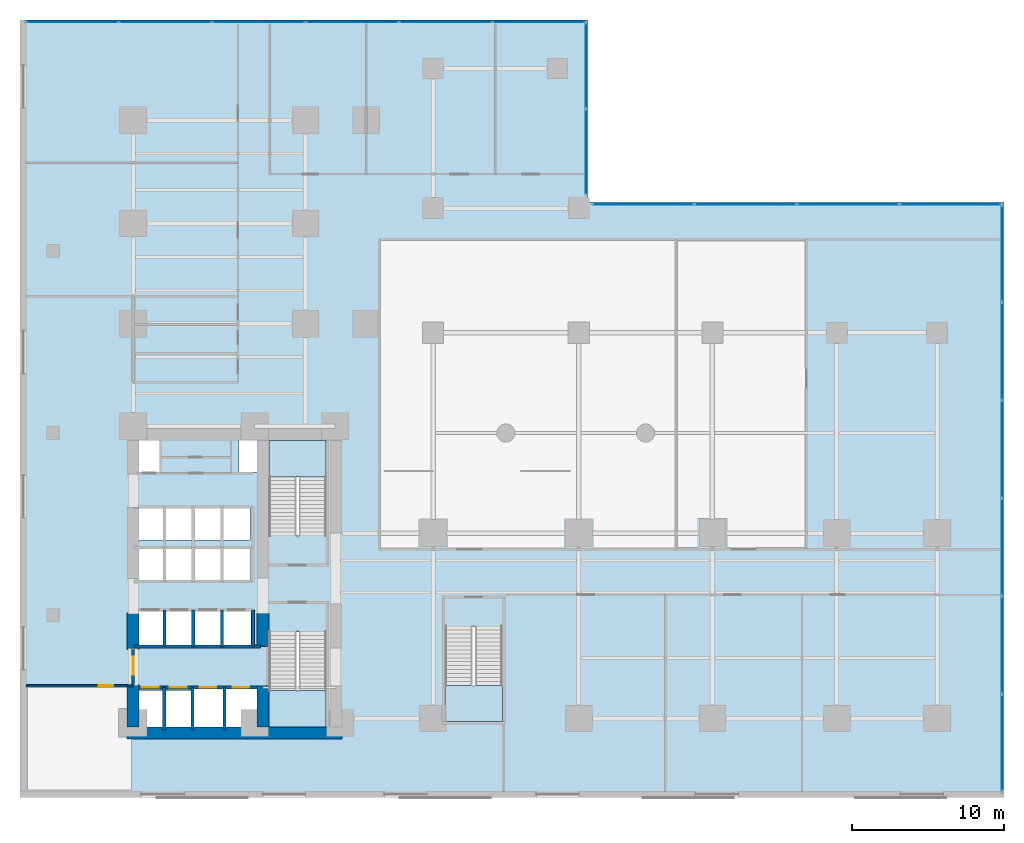
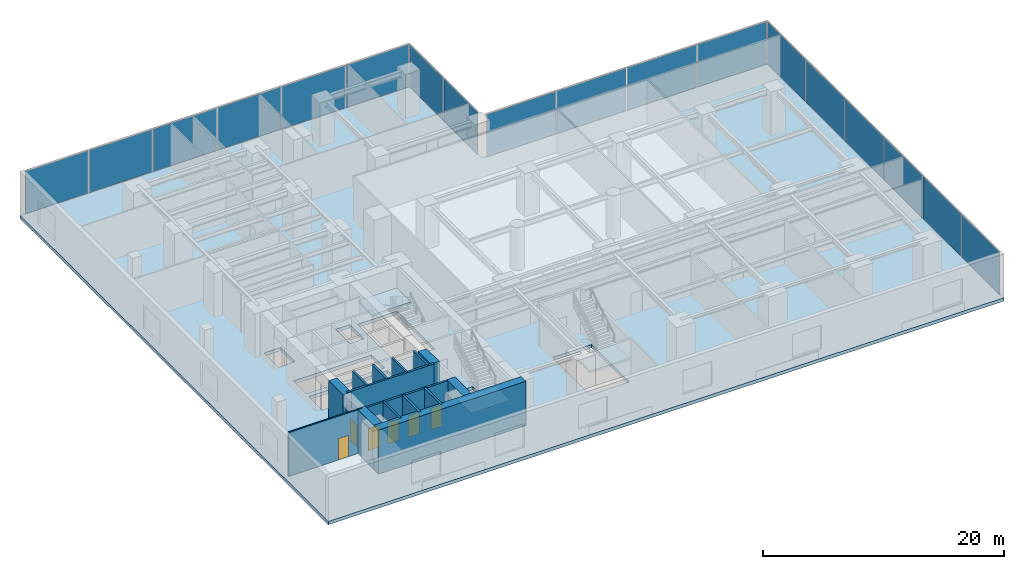
# One storey, part 11 of 16: 18 plates, 16 walls, 6 doors, 4 slabs, 6 openings, 7 elements without a shape of their own.
"""IFC4 building model written with IfcOpenShell, lengths in metres."""

from ifc_helpers import new_model, si_unit, direction, frame, frame_2d, origin, origin_with_axes, origin_2d, place, context, subcontext, project, spatial, polyline, rectangle, outline, extrude, source, transform, mapped, material, layer, layer_set, type_object, element, fill, aggregate, save


model = new_model("IFC4")

# Units and contexts
model_context = context("Model", 3, precision=1e-05, world=origin(), true_north=direction((0.0, 1.0)))
body_context = subcontext(model_context, "Body", "Model", "MODEL_VIEW")
ifc_project = project(units=[si_unit("LENGTHUNIT", "METRE"), si_unit("AREAUNIT", "SQUARE_METRE"), si_unit("VOLUMEUNIT", "CUBIC_METRE"), si_unit("PLANEANGLEUNIT", "RADIAN"), si_unit("MASSUNIT", "GRAM", prefix="KILO")], contexts=[model_context])

# Site, building, storey
site_placement = place(None, origin())
site = spatial("IfcSite", under=ifc_project, at=site_placement, CompositionType="ELEMENT")
building_placement = place(site_placement, origin())
building = spatial("IfcBuilding", under=site, at=building_placement, Name="Kolvaren Waterfront Exchange", CompositionType="ELEMENT")
storey_placement = place(building_placement, frame((0.0, 0.0, 20.0)))
storey = spatial("IfcBuildingStorey", under=building, at=storey_placement, Name="L05", CompositionType="ELEMENT", Elevation=20.0)

# Stair, slab
ifc_material_1 = material(Name="Concrete C40/50", Category="concrete")
stair_type = type_object("IfcStairType", Name="ARC-STAIR-4800", PredefinedType="HALF_TURN_STAIR", material=ifc_material_1)
stair_1_placement = place(storey_placement, origin())
stair_1 = element("IfcStair", 1, at=stair_1_placement, inside=storey, type_object=stair_type, Name="L05 Smoke-proof exit stair ST1", PredefinedType="HALF_TURN_STAIR")
ifc_layer_1 = layer(ifc_material_1, 0.199951171875, Name="Concrete C40/50")
ifc_layer_set_1 = layer_set([ifc_layer_1], Name="Concrete C40/50")
slab_type_1 = type_object("IfcSlabType", Name="STR-LANDING-200", PredefinedType="LANDING", material=ifc_layer_set_1)
slab_1_placement = place(storey_placement, frame((0.0, 0.0, 2.199951171875)))
slab_1 = element("IfcSlab", 2, at=slab_1_placement, type_object=slab_type_1, Name="ST1 landing 1", PredefinedType="LANDING", context=body_context, shape_type="SweptSolid", body=[
    extrude(outline(polyline([(16.39990234375, 7.030029296875), (16.39990234375, 4.64990234375), (20.159912109375, 4.64990234375), (20.159912109375, 7.030029296875), (16.39990234375, 7.030029296875)])), origin(), (0.0, 0.0, 1.0), 0.199951171875),
])
aggregate(stair_1, [slab_1])

stair_2_placement = place(storey_placement, origin())
stair_2 = element("IfcStair", 3, at=stair_2_placement, inside=storey, type_object=stair_type, Name="L05 Smoke-proof exit stair ST2", PredefinedType="HALF_TURN_STAIR")
slab_2_placement = place(storey_placement, frame((0.0, 0.0, 2.199951171875)))
slab_2 = element("IfcSlab", 4, at=slab_2_placement, type_object=slab_type_1, Name="ST2 landing 1", PredefinedType="LANDING", context=body_context, shape_type="SweptSolid", body=[
    extrude(outline(polyline([(20.159912109375, 21.1201171875), (20.159912109375, 23.5), (16.39990234375, 23.5), (16.39990234375, 21.1201171875), (20.159912109375, 21.1201171875)])), origin(), (0.0, 0.0, 1.0), 0.199951171875),
])
aggregate(stair_2, [slab_2])

stair_3_placement = place(storey_placement, origin())
stair_3 = element("IfcStair", 5, at=stair_3_placement, inside=storey, type_object=stair_type, Name="L05 Exit stair ST3", PredefinedType="HALF_TURN_STAIR")
slab_3_placement = place(storey_placement, frame((0.0, 0.0, 2.199951171875)))
slab_3 = element("IfcSlab", 6, at=slab_3_placement, type_object=slab_type_1, Name="ST3 landing 1", PredefinedType="LANDING", context=body_context, shape_type="SweptSolid", body=[
    extrude(outline(polyline([(28.0, 7.3798828125), (28.0, 5.0), (31.760009765625, 5.0), (31.760009765625, 7.3798828125), (28.0, 7.3798828125)])), origin(), (0.0, 0.0, 1.0), 0.199951171875),
])
aggregate(stair_3, [slab_3])

# Slab
ifc_layer_2 = layer(ifc_material_1, 0.340087890625, Name="Concrete C40/50")
ifc_layer_set_2 = layer_set([ifc_layer_2], Name="Concrete C40/50")
slab_type_2 = type_object("IfcSlabType", Name="STR-SLAB-340", PredefinedType="FLOOR", material=ifc_layer_set_2)
slab_4_placement = place(storey_placement, frame((0.0, 0.0, -0.340087890625)))
element("IfcSlab", 7, at=slab_4_placement, inside=storey, type_object=slab_type_2, Name="L05 structural floor slab", PredefinedType="FLOOR", context=body_context, shape_type="SweptSolid", body=[
    extrude(outline(polyline([(0.0, 0.0), (64.800048828125, 0.0), (64.800048828125, 39.199951171875), (37.39990234375, 39.199951171875), (37.39990234375, 51.199951171875), (0.0, 51.199951171875), (0.0, 0.0)]), holes=[polyline([(11.320068359375, 7.260009765625), (15.610107421875, 7.260009765625), (15.610107421875, 4.5400390625), (7.719970703125, 4.5400390625), (7.719970703125, 7.06005859375), (11.320068359375, 7.06005859375), (11.320068359375, 7.260009765625)]), polyline([(20.159912109375, 4.64990234375), (16.39990234375, 4.64990234375), (16.39990234375, 10.89990234375), (20.159912109375, 10.89990234375), (20.159912109375, 4.64990234375)]), polyline([(31.760009765625, 5.0), (28.0, 5.0), (28.0, 11.25), (31.760009765625, 11.25), (31.760009765625, 5.0)]), polyline([(15.2099609375, 10.0400390625), (7.6201171875, 10.0400390625), (7.6201171875, 12.360107421875), (15.2099609375, 12.360107421875), (15.2099609375, 10.0400390625)]), polyline([(7.64501953125, 16.4599609375), (15.18505859375, 16.4599609375), (15.18505859375, 14.239990234375), (7.64501953125, 14.239990234375), (7.64501953125, 16.4599609375)]), polyline([(15.159912109375, 16.93994140625), (7.669921875, 16.93994140625), (7.669921875, 19.06005859375), (15.159912109375, 19.06005859375), (15.159912109375, 16.93994140625)]), polyline([(16.39990234375, 23.5), (20.159912109375, 23.5), (20.159912109375, 17.25), (16.39990234375, 17.25), (16.39990234375, 23.5)]), polyline([(7.60009765625, 23.780029296875), (9.179931640625, 23.780029296875), (9.179931640625, 21.419921875), (7.60009765625, 21.419921875), (7.60009765625, 23.780029296875)]), polyline([(15.800048828125, 23.780029296875), (15.800048828125, 21.419921875), (14.419921875, 21.419921875), (14.419921875, 23.780029296875), (15.800048828125, 23.780029296875)])]), origin(), (0.0, 0.0, 1.0), 0.340087890625),
])

# Curtain wall, plates
ifc_material_2 = material(Name="Anodised bronze aluminium 6063-T6", Category="aluminium")
ifc_layer_3 = layer(ifc_material_2, 0.219970703125, Name="Anodised bronze aluminium 6063-T6")
ifc_layer_set_3 = layer_set([ifc_layer_3], Name="Anodised bronze aluminium 6063-T6")
curtain_wall_type_1 = type_object("IfcCurtainWallType", Name="ARC-CW-SYS4", PredefinedType="USERDEFINED", material=ifc_layer_set_3)
curtain_wall_1_placement = place(storey_placement, origin())
curtain_wall_1 = element("IfcCurtainWall", 8, at=curtain_wall_1_placement, inside=storey, type_object=curtain_wall_type_1, Name="L05 stick curtain wall CW4 (CW-L05-E1)", ObjectType="STICK CURTAIN WALL", PredefinedType="USERDEFINED")
ifc_material_3 = material(Name="High-span laminated vision glass", Category="glass")
ifc_layer_4 = layer(ifc_material_3, 0.035888671875, Name="High-span laminated vision glass")
ifc_layer_set_4 = layer_set([ifc_layer_4], Name="High-span laminated vision glass")
plate_type_1 = type_object("IfcPlateType", Name="ARC-CWP-36", PredefinedType="CURTAIN_PANEL", material=ifc_layer_set_4)
shared_shape_1 = source(origin_with_axes(), body_context, "Body", "SweptSolid", [
    extrude(rectangle(XDim=6.331787109375, YDim=0.035888671875, at=origin_2d()), origin(), (0.0, 0.0, 1.0), 4.31005859375),
])
plate_1_placement = place(storey_placement, frame((64.659912109375, 3.595947265625, 0.074951171875), z_axis=(0.0, 0.0, 1.0), x_axis=(0.0, 1.0, 0.0)))
plate_1 = element("IfcPlate", 9, at=plate_1_placement, type_object=plate_type_1, Name="CW4 panel 1.1", PredefinedType="CURTAIN_PANEL", context=body_context, shape_type="MappedRepresentation", body=[
    mapped(shared_shape_1, transform((0.0, 0.0, 0.0), x_axis=(1.0, 0.0, 0.0), y_axis=(0.0, 1.0, 0.0), z_axis=(0.0, 0.0, 1.0), scale=1.0)),
])
plate_2_placement = place(storey_placement, frame((64.659912109375, 35.814208984375, 0.074951171875), z_axis=(0.0, 0.0, 1.0), x_axis=(0.0, 1.0, 0.0)))
plate_2 = element("IfcPlate", 10, at=plate_2_placement, type_object=plate_type_1, Name="CW4 panel 6.1", PredefinedType="CURTAIN_PANEL", context=body_context, shape_type="MappedRepresentation", body=[
    mapped(shared_shape_1, transform((0.0, 0.0, 0.0), x_axis=(1.0, 0.0, 0.0), y_axis=(0.0, 1.0, 0.0), z_axis=(0.0, 0.0, 1.0), scale=1.0)),
])
shared_shape_2 = source(origin_with_axes(), body_context, "Body", "SweptSolid", [
    extrude(rectangle(XDim=6.37158203125, YDim=0.035888671875, at=origin_2d()), origin(), (0.0, 0.0, 1.0), 4.31005859375),
])
plate_3_placement = place(storey_placement, frame((64.659912109375, 10.027587890625, 0.074951171875), z_axis=(0.0, 0.0, 1.0), x_axis=(0.0, 1.0, 0.0)))
plate_3 = element("IfcPlate", 11, at=plate_3_placement, type_object=plate_type_1, Name="CW4 panel 2.1", PredefinedType="CURTAIN_PANEL", context=body_context, shape_type="MappedRepresentation", body=[
    mapped(shared_shape_2, transform((0.0, 0.0, 0.0), x_axis=(1.0, 0.0, 0.0), y_axis=(0.0, 1.0, 0.0), z_axis=(0.0, 0.0, 1.0), scale=1.0)),
])
plate_4_placement = place(storey_placement, frame((64.659912109375, 16.479248046875, 0.074951171875), z_axis=(0.0, 0.0, 1.0), x_axis=(0.0, 1.0, 0.0)))
plate_4 = element("IfcPlate", 12, at=plate_4_placement, type_object=plate_type_1, Name="CW4 panel 3.1", PredefinedType="CURTAIN_PANEL", context=body_context, shape_type="MappedRepresentation", body=[
    mapped(shared_shape_2, transform((0.0, 0.0, 0.0), x_axis=(1.0, 0.0, 0.0), y_axis=(0.0, 1.0, 0.0), z_axis=(0.0, 0.0, 1.0), scale=1.0)),
])
plate_5_placement = place(storey_placement, frame((64.659912109375, 22.930908203125, 0.074951171875), z_axis=(0.0, 0.0, 1.0), x_axis=(0.0, 1.0, 0.0)))
plate_5 = element("IfcPlate", 13, at=plate_5_placement, type_object=plate_type_1, Name="CW4 panel 4.1", PredefinedType="CURTAIN_PANEL", context=body_context, shape_type="MappedRepresentation", body=[
    mapped(shared_shape_2, transform((0.0, 0.0, 0.0), x_axis=(1.0, 0.0, 0.0), y_axis=(0.0, 1.0, 0.0), z_axis=(0.0, 0.0, 1.0), scale=1.0)),
])
plate_6_placement = place(storey_placement, frame((64.659912109375, 29.382568359375, 0.074951171875), z_axis=(0.0, 0.0, 1.0), x_axis=(0.0, 1.0, 0.0)))
plate_6 = element("IfcPlate", 14, at=plate_6_placement, type_object=plate_type_1, Name="CW4 panel 5.1", PredefinedType="CURTAIN_PANEL", context=body_context, shape_type="MappedRepresentation", body=[
    mapped(shared_shape_2, transform((0.0, 0.0, 0.0), x_axis=(1.0, 0.0, 0.0), y_axis=(0.0, 1.0, 0.0), z_axis=(0.0, 0.0, 1.0), scale=1.0)),
])
aggregate(curtain_wall_1, [plate_1, plate_3, plate_4, plate_5, plate_6, plate_2])

curtain_wall_2_placement = place(storey_placement, origin())
curtain_wall_2 = element("IfcCurtainWall", 15, at=curtain_wall_2_placement, inside=storey, type_object=curtain_wall_type_1, Name="L05 stick curtain wall CW4 (CW-L05-E2)", ObjectType="STICK CURTAIN WALL", PredefinedType="USERDEFINED")
shared_shape_3 = source(origin_with_axes(), body_context, "Body", "SweptSolid", [
    extrude(rectangle(XDim=6.632568359375, YDim=0.035888671875, at=origin_2d()), origin(), (0.0, 0.0, 1.0), 4.31005859375),
])
plate_7_placement = place(storey_placement, frame((61.263671875, 39.06005859375, 0.074951171875), z_axis=(0.0, 0.0, 1.0), x_axis=(-1.0, 0.0, 0.0)))
plate_7 = element("IfcPlate", 16, at=plate_7_placement, type_object=plate_type_1, Name="CW4 panel 1.1", PredefinedType="CURTAIN_PANEL", context=body_context, shape_type="MappedRepresentation", body=[
    mapped(shared_shape_3, transform((0.0, 0.0, 0.0), x_axis=(1.0, 0.0, 0.0), y_axis=(0.0, 1.0, 0.0), z_axis=(0.0, 0.0, 1.0), scale=1.0)),
])
plate_8_placement = place(storey_placement, frame((41.046142578125, 39.06005859375, 0.074951171875), z_axis=(0.0, 0.0, 1.0), x_axis=(-1.0, 0.0, 0.0)))
plate_8 = element("IfcPlate", 17, at=plate_8_placement, type_object=plate_type_1, Name="CW4 panel 4.1", PredefinedType="CURTAIN_PANEL", context=body_context, shape_type="MappedRepresentation", body=[
    mapped(shared_shape_3, transform((0.0, 0.0, 0.0), x_axis=(1.0, 0.0, 0.0), y_axis=(0.0, 1.0, 0.0), z_axis=(0.0, 0.0, 1.0), scale=1.0)),
])
shared_shape_4 = source(origin_with_axes(), body_context, "Body", "SweptSolid", [
    extrude(rectangle(XDim=6.672607421875, YDim=0.035888671875, at=origin_2d()), origin(), (0.0, 0.0, 1.0), 4.31005859375),
])
plate_9_placement = place(storey_placement, frame((54.53125, 39.06005859375, 0.074951171875), z_axis=(0.0, 0.0, 1.0), x_axis=(-1.0, 0.0, 0.0)))
plate_9 = element("IfcPlate", 18, at=plate_9_placement, type_object=plate_type_1, Name="CW4 panel 2.1", PredefinedType="CURTAIN_PANEL", context=body_context, shape_type="MappedRepresentation", body=[
    mapped(shared_shape_4, transform((0.0, 0.0, 0.0), x_axis=(1.0, 0.0, 0.0), y_axis=(0.0, 1.0, 0.0), z_axis=(0.0, 0.0, 1.0), scale=1.0)),
])
plate_10_placement = place(storey_placement, frame((47.77880859375, 39.06005859375, 0.074951171875), z_axis=(0.0, 0.0, 1.0), x_axis=(-1.0, 0.0, 0.0)))
plate_10 = element("IfcPlate", 19, at=plate_10_placement, type_object=plate_type_1, Name="CW4 panel 3.1", PredefinedType="CURTAIN_PANEL", context=body_context, shape_type="MappedRepresentation", body=[
    mapped(shared_shape_4, transform((0.0, 0.0, 0.0), x_axis=(1.0, 0.0, 0.0), y_axis=(0.0, 1.0, 0.0), z_axis=(0.0, 0.0, 1.0), scale=1.0)),
])
aggregate(curtain_wall_2, [plate_7, plate_9, plate_10, plate_8])

curtain_wall_3_placement = place(storey_placement, origin())
curtain_wall_3 = element("IfcCurtainWall", 20, at=curtain_wall_3_placement, inside=storey, type_object=curtain_wall_type_1, Name="L05 stick curtain wall CW4 (CW-L05-N1)", ObjectType="STICK CURTAIN WALL", PredefinedType="USERDEFINED")
shared_shape_5 = source(origin_with_axes(), body_context, "Body", "SweptSolid", [
    extrude(rectangle(XDim=5.5849609375, YDim=0.035888671875, at=origin_2d()), origin(), (0.0, 0.0, 1.0), 4.31005859375),
])
plate_11_placement = place(storey_placement, frame((37.260009765625, 42.5224609375, 0.074951171875), z_axis=(0.0, 0.0, 1.0), x_axis=(0.0, 1.0, 0.0)))
plate_11 = element("IfcPlate", 21, at=plate_11_placement, type_object=plate_type_1, Name="CW4 panel 1.1", PredefinedType="CURTAIN_PANEL", context=body_context, shape_type="MappedRepresentation", body=[
    mapped(shared_shape_5, transform((0.0, 0.0, 0.0), x_axis=(1.0, 0.0, 0.0), y_axis=(0.0, 1.0, 0.0), z_axis=(0.0, 0.0, 1.0), scale=1.0)),
])
plate_12_placement = place(storey_placement, frame((37.260009765625, 48.1875, 0.074951171875), z_axis=(0.0, 0.0, 1.0), x_axis=(0.0, 1.0, 0.0)))
plate_12 = element("IfcPlate", 22, at=plate_12_placement, type_object=plate_type_1, Name="CW4 panel 2.1", PredefinedType="CURTAIN_PANEL", context=body_context, shape_type="MappedRepresentation", body=[
    mapped(shared_shape_5, transform((0.0, 0.0, 0.0), x_axis=(1.0, 0.0, 0.0), y_axis=(0.0, 1.0, 0.0), z_axis=(0.0, 0.0, 1.0), scale=1.0)),
])
aggregate(curtain_wall_3, [plate_11, plate_12])

ifc_layer_5 = layer(ifc_material_2, 0.219970703125, Name="Anodised bronze aluminium 6063-T6")
ifc_layer_set_5 = layer_set([ifc_layer_5], Name="Anodised bronze aluminium 6063-T6")
curtain_wall_type_2 = type_object("IfcCurtainWallType", Name="ARC-CW-SYS1", PredefinedType="USERDEFINED", material=ifc_layer_set_5)
curtain_wall_4_placement = place(storey_placement, origin())
curtain_wall_4 = element("IfcCurtainWall", 23, at=curtain_wall_4_placement, inside=storey, type_object=curtain_wall_type_2, Name="L05 stick curtain wall CW1 (CW-L05-N2)", ObjectType="STICK CURTAIN WALL", PredefinedType="USERDEFINED")
ifc_material_4 = material(Name="Bronze solar control vision glass", Category="aluminium")
ifc_layer_6 = layer(ifc_material_4, 0.028076171875, Name="Bronze solar control vision glass")
ifc_layer_set_6 = layer_set([ifc_layer_6], Name="Bronze solar control vision glass")
plate_type_2 = type_object("IfcPlateType", Name="ARC-CWP-28", PredefinedType="CURTAIN_PANEL", material=ifc_layer_set_6)
shared_shape_6 = source(origin_with_axes(), body_context, "Body", "SweptSolid", [
    extrude(rectangle(XDim=6.03173828125, YDim=0.028076171875, at=origin_2d()), origin(), (0.0, 0.0, 1.0), 4.31005859375),
])
plate_13_placement = place(storey_placement, frame((34.1640625, 51.06005859375, 0.074951171875), z_axis=(0.0, 0.0, 1.0), x_axis=(-1.0, 0.0, 0.0)))
plate_13 = element("IfcPlate", 24, at=plate_13_placement, type_object=plate_type_2, Name="CW1 panel 1.1", PredefinedType="CURTAIN_PANEL", context=body_context, shape_type="MappedRepresentation", body=[
    mapped(shared_shape_6, transform((0.0, 0.0, 0.0), x_axis=(1.0, 0.0, 0.0), y_axis=(0.0, 1.0, 0.0), z_axis=(0.0, 0.0, 1.0), scale=1.0)),
])
plate_14_placement = place(storey_placement, frame((3.44580078125, 51.06005859375, 0.074951171875), z_axis=(0.0, 0.0, 1.0), x_axis=(-1.0, 0.0, 0.0)))
plate_14 = element("IfcPlate", 25, at=plate_14_placement, type_object=plate_type_2, Name="CW1 panel 6.1", PredefinedType="CURTAIN_PANEL", context=body_context, shape_type="MappedRepresentation", body=[
    mapped(shared_shape_6, transform((0.0, 0.0, 0.0), x_axis=(1.0, 0.0, 0.0), y_axis=(0.0, 1.0, 0.0), z_axis=(0.0, 0.0, 1.0), scale=1.0)),
])
shared_shape_7 = source(origin_with_axes(), body_context, "Body", "SweptSolid", [
    extrude(rectangle(XDim=6.07177734375, YDim=0.028076171875, at=origin_2d()), origin(), (0.0, 0.0, 1.0), 4.31005859375),
])
plate_15_placement = place(storey_placement, frame((28.032470703125, 51.06005859375, 0.074951171875), z_axis=(0.0, 0.0, 1.0), x_axis=(-1.0, 0.0, 0.0)))
plate_15 = element("IfcPlate", 26, at=plate_15_placement, type_object=plate_type_2, Name="CW1 panel 2.1", PredefinedType="CURTAIN_PANEL", context=body_context, shape_type="MappedRepresentation", body=[
    mapped(shared_shape_7, transform((0.0, 0.0, 0.0), x_axis=(1.0, 0.0, 0.0), y_axis=(0.0, 1.0, 0.0), z_axis=(0.0, 0.0, 1.0), scale=1.0)),
])
plate_16_placement = place(storey_placement, frame((21.880859375, 51.06005859375, 0.074951171875), z_axis=(0.0, 0.0, 1.0), x_axis=(-1.0, 0.0, 0.0)))
plate_16 = element("IfcPlate", 27, at=plate_16_placement, type_object=plate_type_2, Name="CW1 panel 3.1", PredefinedType="CURTAIN_PANEL", context=body_context, shape_type="MappedRepresentation", body=[
    mapped(shared_shape_7, transform((0.0, 0.0, 0.0), x_axis=(1.0, 0.0, 0.0), y_axis=(0.0, 1.0, 0.0), z_axis=(0.0, 0.0, 1.0), scale=1.0)),
])
plate_17_placement = place(storey_placement, frame((15.729248046875, 51.06005859375, 0.074951171875), z_axis=(0.0, 0.0, 1.0), x_axis=(-1.0, 0.0, 0.0)))
plate_17 = element("IfcPlate", 28, at=plate_17_placement, type_object=plate_type_2, Name="CW1 panel 4.1", PredefinedType="CURTAIN_PANEL", context=body_context, shape_type="MappedRepresentation", body=[
    mapped(shared_shape_7, transform((0.0, 0.0, 0.0), x_axis=(1.0, 0.0, 0.0), y_axis=(0.0, 1.0, 0.0), z_axis=(0.0, 0.0, 1.0), scale=1.0)),
])
plate_18_placement = place(storey_placement, frame((9.577392578125, 51.06005859375, 0.074951171875), z_axis=(0.0, 0.0, 1.0), x_axis=(-1.0, 0.0, 0.0)))
plate_18 = element("IfcPlate", 29, at=plate_18_placement, type_object=plate_type_2, Name="CW1 panel 5.1", PredefinedType="CURTAIN_PANEL", context=body_context, shape_type="MappedRepresentation", body=[
    mapped(shared_shape_7, transform((0.0, 0.0, 0.0), x_axis=(1.0, 0.0, 0.0), y_axis=(0.0, 1.0, 0.0), z_axis=(0.0, 0.0, 1.0), scale=1.0)),
])
aggregate(curtain_wall_4, [plate_13, plate_15, plate_16, plate_17, plate_18, plate_14])

# Wall
ifc_material_5 = material(Name="Precast concrete C40/50", Category="concrete")
ifc_layer_7 = layer(ifc_material_5, 0.199951171875, Name="Precast concrete C40/50")
ifc_layer_set_7 = layer_set([ifc_layer_7], Name="Precast concrete C40/50")
wall_type_1 = type_object("IfcWallType", Name="ARC-FIRE-200", PredefinedType="PARTITIONING", material=ifc_layer_set_7)
wall_1_placement = place(storey_placement, frame((7.5, 9.949951171875, 0.0), z_axis=(0.0, 0.0, 1.0), x_axis=(1.0, 0.0, 0.0)))
element("IfcWall", 30, at=wall_1_placement, inside=storey, type_object=wall_type_1, Name="L05 interior wall PW-L05-FF-N", PredefinedType="PARTITIONING", context=body_context, shape_type="SweptSolid", body=[
    extrude(rectangle(XDim=8.35009765625, YDim=0.199951171875, at=frame_2d((4.175048828125, 0.0))), origin(), (0.0, 0.0, 1.0), 4.4599609375),
])

# Wall, opening, door
wall_2_placement = place(storey_placement, frame((7.449951171875, 7.449951171875, 0.0), z_axis=(0.0, 0.0, 1.0), x_axis=(0.0, 1.0, 0.0)))
wall_2 = element("IfcWall", 31, at=wall_2_placement, inside=storey, type_object=wall_type_1, Name="L05 interior wall PW-L05-FF-W-DOOR", PredefinedType="PARTITIONING", context=body_context, shape_type="SweptSolid", body=[
    extrude(rectangle(XDim=2.300048828125, YDim=0.199951171875, at=frame_2d((1.14990234375, 0.0))), origin(), (0.0, 0.0, 1.0), 3.239990234375),
])
opening_1_placement = place(wall_2_placement, frame((0.63330078125, 0.0, 0.0)))
opening_1 = element("IfcOpeningElement", 32, at=opening_1_placement, cuts=wall_2, Name="Opening FD3", PredefinedType="OPENING", context=body_context, shape_type="SweptSolid", body=[
    extrude(rectangle(XDim=1.199951171875, YDim=2.25, at=frame_2d((0.60009765625, 1.125))), frame((0.0, 0.10986328125, 0.0), z_axis=(0.0, -1.0, 0.0), x_axis=(1.0, 0.0, 0.0)), (0.0, 0.0, 1.0), 0.219970703125),
])
ifc_material_6 = material(Name="Pressed steel fire door", Category="steel")
door_type_1 = type_object("IfcDoorType", Name="ARC-FD-1200", OperationType="NOTDEFINED", PredefinedType="DOOR", material=ifc_material_6)
door_1_placement = place(opening_1_placement, frame((1.199951171875, 0.0, 0.0), z_axis=(0.0, 0.0, 1.0), x_axis=(-1.0, 0.0, 0.0)))
door_1 = element("IfcDoor", 33, at=door_1_placement, inside=storey, type_object=door_type_1, Name="L05 door DR-L05-FF-OUT (FD3)", OperationType="SINGLE_SWING_RIGHT", OverallHeight=2.25, OverallWidth=1.199951171875, PredefinedType="DOOR", context=body_context, shape_type="SweptSolid", body=[
    extrude(rectangle(XDim=1.199951171875, YDim=2.25, at=frame_2d((0.60009765625, 1.125))), frame((0.0, 0.02490234375, 0.0), z_axis=(0.0, -1.0, 0.0), x_axis=(1.0, 0.0, 0.0)), (0.0, 0.0, 1.0), 0.050048828125),
])
fill(opening_1, door_1)

ifc_material_7 = material(Name="Acoustic gypsum steel stud", Category="steel")
ifc_layer_8 = layer(ifc_material_7, 0.125, Name="Acoustic gypsum steel stud")
ifc_layer_set_8 = layer_set([ifc_layer_8], Name="Acoustic gypsum steel stud")
wall_type_2 = type_object("IfcWallType", Name="ARC-PART-125", PredefinedType="PARTITIONING", material=ifc_layer_set_8)
wall_3_placement = place(storey_placement, frame((0.419921875, 7.35009765625, 0.0), z_axis=(0.0, 0.0, 1.0), x_axis=(1.0, 0.0, 0.0)))
wall_3 = element("IfcWall", 34, at=wall_3_placement, inside=storey, type_object=wall_type_2, Name="L05 interior wall PW-L05-POD-WS-N", PredefinedType="PARTITIONING", context=body_context, shape_type="SweptSolid", body=[
    extrude(rectangle(XDim=7.030029296875, YDim=0.125, at=frame_2d((3.51513671875, 0.0))), origin(), (0.0, 0.0, 1.0), 4.4599609375),
])
opening_2_placement = place(wall_3_placement, frame((4.780029296875, 0.0, 0.0)))
opening_2 = element("IfcOpeningElement", 35, at=opening_2_placement, cuts=wall_3, Name="Opening D02", PredefinedType="OPENING", context=body_context, shape_type="SweptSolid", body=[
    extrude(rectangle(XDim=0.949951171875, YDim=2.14990234375, at=frame_2d((0.47509765625, 1.074951171875))), frame((0.0, 0.072509765625, 0.0), z_axis=(0.0, -1.0, 0.0), x_axis=(1.0, 0.0, 0.0)), (0.0, 0.0, 1.0), 0.14501953125),
])
ifc_material_8 = material(Name="Oak veneer acoustic timber", Category="wood")
door_type_2 = type_object("IfcDoorType", Name="ARC-DR-950", OperationType="NOTDEFINED", PredefinedType="DOOR", material=ifc_material_8)
door_2_placement = place(opening_2_placement, origin())
door_2 = element("IfcDoor", 36, at=door_2_placement, inside=storey, type_object=door_type_2, Name="L05 door DR-L05-POD-WS-D (D02)", OperationType="SINGLE_SWING_LEFT", OverallHeight=2.14990234375, OverallWidth=0.949951171875, PredefinedType="DOOR", context=body_context, shape_type="SweptSolid", body=[
    extrude(rectangle(XDim=0.949951171875, YDim=2.14990234375, at=frame_2d((0.47509765625, 1.074951171875))), frame((0.0, 0.02490234375, 0.0), z_axis=(0.0, -1.0, 0.0), x_axis=(1.0, 0.0, 0.0)), (0.0, 0.0, 1.0), 0.050048828125),
])
fill(opening_2, door_2)

# Wall, openings, doors
ifc_layer_9 = layer(ifc_material_1, 0.199951171875, Name="Concrete C40/50")
ifc_layer_set_9 = layer_set([ifc_layer_9], Name="Concrete C40/50")
wall_type_3 = type_object("IfcWallType", Name="ARC-SHAFT-200", PredefinedType="PARTITIONING", material=ifc_layer_set_9)
wall_4_placement = place(storey_placement, frame((7.5, 7.25, 0.0), z_axis=(0.0, 0.0, 1.0), x_axis=(1.0, 0.0, 0.0)))
wall_4 = element("IfcWall", 37, at=wall_4_placement, inside=storey, type_object=wall_type_3, Name="L05 interior wall PW-L05-FF-S", PredefinedType="PARTITIONING", context=body_context, shape_type="SweptSolid", body=[
    extrude(rectangle(XDim=8.35009765625, YDim=0.199951171875, at=frame_2d((4.175048828125, 0.0))), origin(), (0.0, 0.0, 1.0), 4.4599609375),
])
opening_3_placement = place(wall_4_placement, frame((0.530029296875, 0.0, 0.0)))
opening_3 = element("IfcOpeningElement", 38, at=opening_3_placement, cuts=wall_4, Name="Opening LD1", PredefinedType="OPENING", context=body_context, shape_type="SweptSolid", body=[
    extrude(rectangle(XDim=1.10009765625, YDim=2.199951171875, at=frame_2d((0.550048828125, 1.10009765625))), frame((0.0, 0.10986328125, 0.0), z_axis=(0.0, -1.0, 0.0), x_axis=(1.0, 0.0, 0.0)), (0.0, 0.0, 1.0), 0.219970703125),
])
opening_4_placement = place(wall_4_placement, frame((2.3701171875, 0.0, 0.0)))
opening_4 = element("IfcOpeningElement", 39, at=opening_4_placement, cuts=wall_4, Name="Opening LD1", PredefinedType="OPENING", context=body_context, shape_type="SweptSolid", body=[
    extrude(rectangle(XDim=1.10009765625, YDim=2.199951171875, at=frame_2d((0.550048828125, 1.10009765625))), frame((0.0, 0.10986328125, 0.0), z_axis=(0.0, -1.0, 0.0), x_axis=(1.0, 0.0, 0.0)), (0.0, 0.0, 1.0), 0.219970703125),
])
opening_5_placement = place(wall_4_placement, frame((4.330078125, 0.0, 0.0)))
opening_5 = element("IfcOpeningElement", 40, at=opening_5_placement, cuts=wall_4, Name="Opening LD1", PredefinedType="OPENING", context=body_context, shape_type="SweptSolid", body=[
    extrude(rectangle(XDim=1.10009765625, YDim=2.199951171875, at=frame_2d((0.550048828125, 1.10009765625))), frame((0.0, 0.10986328125, 0.0), z_axis=(0.0, -1.0, 0.0), x_axis=(1.0, 0.0, 0.0)), (0.0, 0.0, 1.0), 0.219970703125),
])
opening_6_placement = place(wall_4_placement, frame((6.5, 0.0, 0.0)))
opening_6 = element("IfcOpeningElement", 41, at=opening_6_placement, cuts=wall_4, Name="Opening LD1", PredefinedType="OPENING", context=body_context, shape_type="SweptSolid", body=[
    extrude(rectangle(XDim=1.10009765625, YDim=2.199951171875, at=frame_2d((0.550048828125, 1.10009765625))), frame((0.0, 0.10986328125, 0.0), z_axis=(0.0, -1.0, 0.0), x_axis=(1.0, 0.0, 0.0)), (0.0, 0.0, 1.0), 0.219970703125),
])
ifc_material_9 = material(Name="Stainless steel sliding landing door", Category="steel")
door_type_3 = type_object("IfcDoorType", Name="ARC-LD-FF", OperationType="SLIDING_TO_LEFT", PredefinedType="DOOR", material=ifc_material_9)
door_3_placement = place(opening_3_placement, origin())
door_3 = element("IfcDoor", 42, at=door_3_placement, inside=storey, type_object=door_type_3, Name="L05 door LD-L05-FFL1 (LD1)", OperationType="SLIDING_TO_LEFT", OverallHeight=2.199951171875, OverallWidth=1.10009765625, PredefinedType="DOOR", context=body_context, shape_type="SweptSolid", body=[
    extrude(rectangle(XDim=1.10009765625, YDim=2.199951171875, at=frame_2d((0.550048828125, 1.10009765625))), frame((0.0, 0.02490234375, 0.0), z_axis=(0.0, -1.0, 0.0), x_axis=(1.0, 0.0, 0.0)), (0.0, 0.0, 1.0), 0.050048828125),
])
fill(opening_3, door_3)
door_4_placement = place(opening_4_placement, origin())
door_4 = element("IfcDoor", 43, at=door_4_placement, inside=storey, type_object=door_type_3, Name="L05 door LD-L05-FFL2 (LD1)", OperationType="SLIDING_TO_LEFT", OverallHeight=2.199951171875, OverallWidth=1.10009765625, PredefinedType="DOOR", context=body_context, shape_type="SweptSolid", body=[
    extrude(rectangle(XDim=1.10009765625, YDim=2.199951171875, at=frame_2d((0.550048828125, 1.10009765625))), frame((0.0, 0.02490234375, 0.0), z_axis=(0.0, -1.0, 0.0), x_axis=(1.0, 0.0, 0.0)), (0.0, 0.0, 1.0), 0.050048828125),
])
fill(opening_4, door_4)
door_5_placement = place(opening_5_placement, origin())
door_5 = element("IfcDoor", 44, at=door_5_placement, inside=storey, type_object=door_type_3, Name="L05 door LD-L05-GL1 (LD1)", OperationType="SLIDING_TO_LEFT", OverallHeight=2.199951171875, OverallWidth=1.10009765625, PredefinedType="DOOR", context=body_context, shape_type="SweptSolid", body=[
    extrude(rectangle(XDim=1.10009765625, YDim=2.199951171875, at=frame_2d((0.550048828125, 1.10009765625))), frame((0.0, 0.02490234375, 0.0), z_axis=(0.0, -1.0, 0.0), x_axis=(1.0, 0.0, 0.0)), (0.0, 0.0, 1.0), 0.050048828125),
])
fill(opening_5, door_5)
door_6_placement = place(opening_6_placement, origin())
door_6 = element("IfcDoor", 45, at=door_6_placement, inside=storey, type_object=door_type_3, Name="L05 door LD-L05-GL2 (LD1)", OperationType="SLIDING_TO_LEFT", OverallHeight=2.199951171875, OverallWidth=1.10009765625, PredefinedType="DOOR", context=body_context, shape_type="SweptSolid", body=[
    extrude(rectangle(XDim=1.10009765625, YDim=2.199951171875, at=frame_2d((0.550048828125, 1.10009765625))), frame((0.0, 0.02490234375, 0.0), z_axis=(0.0, -1.0, 0.0), x_axis=(1.0, 0.0, 0.0)), (0.0, 0.0, 1.0), 0.050048828125),
])
fill(opening_6, door_6)

# Walls
for number, where, z_axis, x_axis, name in (
    (46, (9.5, 4.449951171875, 0.0), (0.0, 0.0, 1.0), (0.0, 1.0, 0.0), "L05 interior wall PW-L05-SH1-DIV-95"),
    (47, (11.360107421875, 4.449951171875, 0.0), (0.0, 0.0, 1.0), (0.0, 1.0, 0.0), "L05 interior wall PW-L05-SH1-DIV-113"),
    (48, (13.4599609375, 4.449951171875, 0.0), (0.0, 0.0, 1.0), (0.0, 1.0, 0.0), "L05 interior wall PW-L05-SH1-DIV-134"),
):
    element("IfcWall", number, at=place(storey_placement, frame(where, z_axis=z_axis, x_axis=x_axis)), inside=storey, type_object=wall_type_3, Name=name, PredefinedType="PARTITIONING", context=body_context, shape_type="SweptSolid", body=[
        extrude(rectangle(XDim=2.800048828125, YDim=0.199951171875, at=frame_2d((1.39990234375, 0.0))), origin(), (0.0, 0.0, 1.0), 4.4599609375),
    ])
for number, where, z_axis, x_axis, name in (
    (49, (15.35009765625, 9.949951171875, 0.0), (0.0, 0.0, 1.0), (0.0, 1.0, 0.0), "L05 interior wall PW-L05-PL-E"),
    (50, (9.52001953125, 9.949951171875, 0.0), (0.0, 0.0, 1.0), (0.0, 1.0, 0.0), "L05 interior wall PW-L05-SH2-DIV-95"),
    (51, (11.409912109375, 9.949951171875, 0.0), (0.0, 0.0, 1.0), (0.0, 1.0, 0.0), "L05 interior wall PW-L05-SH2-DIV-114"),
    (52, (13.300048828125, 9.949951171875, 0.0), (0.0, 0.0, 1.0), (0.0, 1.0, 0.0), "L05 interior wall PW-L05-SH2-DIV-133"),
):
    element("IfcWall", number, at=place(storey_placement, frame(where, z_axis=z_axis, x_axis=x_axis)), inside=storey, type_object=wall_type_3, Name=name, PredefinedType="PARTITIONING", context=body_context, shape_type="SweptSolid", body=[
        extrude(rectangle(XDim=2.41015625, YDim=0.199951171875, at=frame_2d((1.205078125, 0.0))), origin(), (0.0, 0.0, 1.0), 4.4599609375),
    ])
ifc_material_10 = material(Name="Concrete C70/85", Category="concrete")
ifc_layer_10 = layer(ifc_material_10, 0.800048828125, Name="Concrete C70/85")
ifc_layer_set_10 = layer_set([ifc_layer_10], Name="Concrete C70/85")
wall_type_4 = type_object("IfcWallType", Name="STR-CWALL-800", PredefinedType="SHEAR", material=ifc_layer_set_10)
wall_5_placement = place(storey_placement, frame((7.050048828125, 4.25, 0.0), z_axis=(0.0, 0.0, 1.0), x_axis=(1.0, 0.0, 0.0)))
element("IfcWall", 53, at=wall_5_placement, inside=storey, type_object=wall_type_4, Name="L05 rear-core shear wall S", PredefinedType="SHEAR", context=body_context, shape_type="SweptSolid", body=[
    extrude(rectangle(XDim=14.14990234375, YDim=0.800048828125, at=frame_2d((7.074951171875, 0.0))), origin(), (0.0, 0.0, 1.0), 4.4599609375),
])
wall_6_placement = place(storey_placement, frame((7.449951171875, 4.64990234375, 0.0), z_axis=(0.0, 0.0, 1.0), x_axis=(0.0, 1.0, 0.0)))
element("IfcWall", 54, at=wall_6_placement, inside=storey, type_object=wall_type_4, Name="L05 rear-core shear wall W1", PredefinedType="SHEAR", context=body_context, shape_type="SweptSolid", body=[
    extrude(rectangle(XDim=2.800048828125, YDim=0.800048828125, at=frame_2d((1.39990234375, 0.0))), origin(), (0.0, 0.0, 1.0), 4.4599609375),
])
wall_7_placement = place(storey_placement, frame((7.449951171875, 9.75, 0.0), z_axis=(0.0, 0.0, 1.0), x_axis=(0.0, 1.0, 0.0)))
element("IfcWall", 55, at=wall_7_placement, inside=storey, type_object=wall_type_4, Name="L05 rear-core shear wall W2A", PredefinedType="SHEAR", context=body_context, shape_type="SweptSolid", body=[
    extrude(rectangle(XDim=2.39990234375, YDim=0.800048828125, at=frame_2d((1.199951171875, 0.0))), origin(), (0.0, 0.0, 1.0), 4.4599609375),
])
wall_8_placement = place(storey_placement, frame((16.0, 4.64990234375, 0.0), z_axis=(0.0, 0.0, 1.0), x_axis=(0.0, 1.0, 0.0)))
element("IfcWall", 56, at=wall_8_placement, inside=storey, type_object=wall_type_4, Name="L05 rear-core shear wall M1", PredefinedType="SHEAR", context=body_context, shape_type="SweptSolid", body=[
    extrude(rectangle(XDim=2.7001953125, YDim=0.800048828125, at=frame_2d((1.35009765625, 0.0))), origin(), (0.0, 0.0, 1.0), 4.4599609375),
])
wall_9_placement = place(storey_placement, frame((16.0, 9.949951171875, 0.0), z_axis=(0.0, 0.0, 1.0), x_axis=(0.0, 1.0, 0.0)))
element("IfcWall", 57, at=wall_9_placement, inside=storey, type_object=wall_type_4, Name="L05 rear-core shear wall M2", PredefinedType="SHEAR", context=body_context, shape_type="SweptSolid", body=[
    extrude(rectangle(XDim=2.150146484375, YDim=0.800048828125, at=frame_2d((1.0751953125, 0.0))), origin(), (0.0, 0.0, 1.0), 4.4599609375),
])

save(model, "model.ifc")
